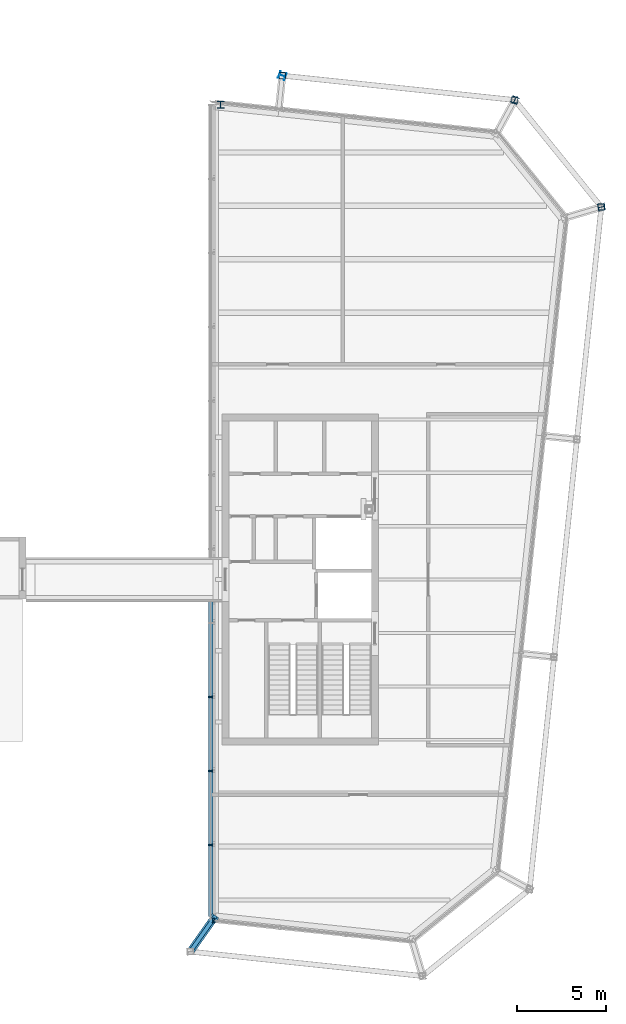
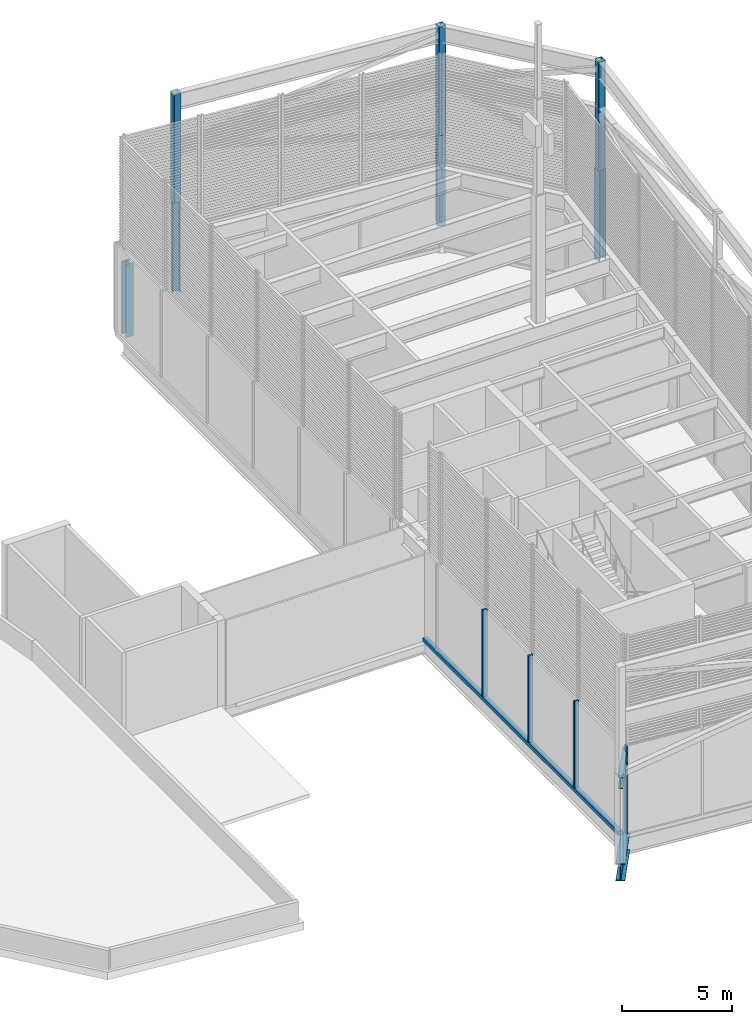
# One storey, part 3 of 11: 7 columns, 5 members, 2 beams, 2 elements without a shape of their own.
"""IFC4 building model written with IfcOpenShell, lengths in metres."""

from ifc_helpers import new_model, si_unit, direction, frame, origin, origin_2d, place, context, subcontext, project, spatial, rectangle, hollow_rectangle, i_section, extrude, material, layer, layer_set, material_profile, profile_set, type_object, element, aggregate, save


model = new_model("IFC4")

# Units and contexts
model_context = context("Model", 3, precision=1e-05, world=origin(), true_north=direction((0.0, 1.0)))
body_context = subcontext(model_context, "Body", "Model", "MODEL_VIEW")
ifc_project = project(units=[si_unit("LENGTHUNIT", "METRE"), si_unit("AREAUNIT", "SQUARE_METRE"), si_unit("VOLUMEUNIT", "CUBIC_METRE"), si_unit("PLANEANGLEUNIT", "RADIAN"), si_unit("MASSUNIT", "GRAM", prefix="KILO")], contexts=[model_context])

# Site, building, storey
site_placement = place(None, origin())
site = spatial("IfcSite", under=ifc_project, at=site_placement, CompositionType="ELEMENT")
building_placement = place(site_placement, origin())
building = spatial("IfcBuilding", under=site, at=building_placement, Name="Millrace Tower", CompositionType="ELEMENT")
storey_placement = place(building_placement, frame((0.0, 0.0, 357.10009765625)))
storey = spatial("IfcBuildingStorey", under=building, at=storey_placement, Name="L82", CompositionType="ELEMENT", Elevation=357.10009765625)

# Columns
ifc_material_1 = material(Name="Steel ASTM A500 Grade C", Category="steel")
ifc_material_profile_1 = material_profile(ifc_material_1, hollow_rectangle(XDim=0.355712890625, YDim=0.355712890625, WallThickness=0.015869140625, InnerFilletRadius=0.008056640625, OuterFilletRadius=0.02392578125, at=origin_2d()))
ifc_profile_set_1 = profile_set([ifc_material_profile_1], Name="Steel ASTM A500 Grade C")
column_type_1 = type_object("IfcColumnType", Name="CROWN FRAME post HSS14x14x5/8", PredefinedType="COLUMN", material=ifc_profile_set_1)
for number, where, z_axis, x_axis, name in (
    (1, (26.82958984375, 20.935791015625, 5.0), (0.0, 0.0, 1.0), (1.0, 0.0, 0.0), "CROWN FRAME post E.6"),
    (2, (21.9599609375, 26.94921875, 5.0), (0.0, 0.0, 1.0), (1.0, 0.0, 0.0), "CROWN FRAME post E.7"),
    (3, (8.9033203125, 28.321533203125, 5.0), (0.0, 0.0, 1.0), (1.0, 0.0, 0.0), "CROWN FRAME post E.8"),
):
    element("IfcColumn", number, at=place(storey_placement, frame(where, z_axis=z_axis, x_axis=x_axis)), inside=storey, type_object=column_type_1, Name=name, PredefinedType="COLUMN", context=body_context, shape_type="SweptSolid", body=[
        extrude(hollow_rectangle(XDim=0.355712890625, YDim=0.355712890625, WallThickness=0.015869140625, InnerFilletRadius=0.008056640625, OuterFilletRadius=0.02392578125, at=origin_2d()), origin(), (0.0, 0.0, 1.0), 6.0),
    ])
ifc_material_2 = material(Name="Steel ASTM A913 Grade 65", Category="steel")
ifc_material_profile_2 = material_profile(ifc_material_2, i_section(OverallWidth=0.396240234375, OverallDepth=0.381103515625, WebThickness=0.018798828125, FlangeThickness=0.0302734375, FilletRadius=0.01513671875, at=origin_2d()))
ifc_profile_set_2 = profile_set([ifc_material_profile_2], Name="Steel ASTM A913 Grade 65")
column_type_2 = type_object("IfcColumnType", Name="Crown corner post W14x159", PredefinedType="COLUMN", material=ifc_profile_set_2)
column_1_placement = place(storey_placement, frame((5.43408203125, 26.6826171875, -0.2001953125), z_axis=(0.0, 0.0, 1.0), x_axis=(1.0, 0.0, 0.0)))
element("IfcColumn", 4, at=column_1_placement, inside=storey, type_object=column_type_2, Name="COL-E-L82-RE-P01", PredefinedType="COLUMN", context=body_context, shape_type="SweptSolid", body=[
    extrude(i_section(OverallWidth=0.396240234375, OverallDepth=0.381103515625, WebThickness=0.018798828125, FlangeThickness=0.0302734375, FilletRadius=0.01513671875, at=origin_2d()), origin(), (0.0, 0.0, 1.0), 4.02294921875),
])
ifc_material_3 = material(Name="Steel ASTM A913 Grade 65", Category="steel")
ifc_material_profile_3 = material_profile(ifc_material_3, i_section(OverallWidth=0.393798828125, OverallDepth=0.3759765625, WebThickness=0.017333984375, FlangeThickness=0.027587890625, FilletRadius=0.01513671875, at=origin_2d()))
ifc_profile_set_3 = profile_set([ifc_material_profile_3], Name="Steel ASTM A913 Grade 65")
column_type_3 = type_object("IfcColumnType", Name="Exoskeleton column W14x145", PredefinedType="COLUMN", material=ifc_profile_set_3)
column_2_placement = place(storey_placement, frame((8.9033203125, 28.321533203125, 0.0), z_axis=(0.0, 0.0, 1.0), x_axis=(-0.355988594395, -0.934490299929, 0.0)))
element("IfcColumn", 5, at=column_2_placement, inside=storey, type_object=column_type_3, Name="COL-E-L82-X11", PredefinedType="COLUMN", context=body_context, shape_type="SweptSolid", body=[
    extrude(i_section(OverallWidth=0.393798828125, OverallDepth=0.3759765625, WebThickness=0.017333984375, FlangeThickness=0.027587890625, FilletRadius=0.01513671875, at=origin_2d()), origin(), (0.0, 0.0, 1.0), 5.0),
])
ifc_material_4 = material(Name="Steel ASTM A913 Grade 65", Category="steel")
ifc_material_profile_4 = material_profile(ifc_material_4, i_section(OverallWidth=0.396240234375, OverallDepth=0.381103515625, WebThickness=0.018798828125, FlangeThickness=0.0302734375, FilletRadius=0.01513671875, at=origin_2d()))
ifc_profile_set_4 = profile_set([ifc_material_profile_4], Name="Steel ASTM A913 Grade 65")
column_type_4 = type_object("IfcColumnType", Name="Exoskeleton column W14x159", PredefinedType="COLUMN", material=ifc_profile_set_4)
for number, where, z_axis, x_axis, name in (
    (6, (26.82958984375, 20.935791015625, 0.0), (0.0, 0.0, 1.0), (-0.18038747256, 0.983595628164, 0.0), "COL-E-L82-X09"),
    (7, (21.9599609375, 26.94921875, 0.0), (0.0, 0.0, 1.0), (-0.92459700658, 0.380946683176, 0.0), "COL-E-L82-X10"),
):
    element("IfcColumn", number, at=place(storey_placement, frame(where, z_axis=z_axis, x_axis=x_axis)), inside=storey, type_object=column_type_4, Name=name, PredefinedType="COLUMN", context=body_context, shape_type="SweptSolid", body=[
        extrude(i_section(OverallWidth=0.396240234375, OverallDepth=0.381103515625, WebThickness=0.018798828125, FlangeThickness=0.0302734375, FilletRadius=0.01513671875, at=origin_2d()), origin(), (0.0, 0.0, 1.0), 5.0),
    ])

# Curtain wall, members
ifc_material_5 = material(Name="Aluminium and glass", Category="aluminium")
ifc_layer = layer(ifc_material_5, 0.25)
ifc_layer_set = layer_set([ifc_layer], Name="Aluminium and glass")
curtain_wall_type = type_object("IfcCurtainWallType", Name="CW-7 crown louvred enclosure", PredefinedType="NOTDEFINED", material=ifc_layer_set)
placement = place(storey_placement, origin())
curtain_wall_1 = element("IfcCurtainWall", 8, at=placement, inside=storey, type_object=curtain_wall_type, Name="Curtain wall CE-F01 L82", PredefinedType="NOTDEFINED")
ifc_material_6 = material(Name="Aluminium", Category="aluminium")
ifc_material_profile_5 = material_profile(ifc_material_6, rectangle(XDim=0.10009765625, YDim=0.25, at=origin_2d()))
ifc_profile_set_5 = profile_set([ifc_material_profile_5], Name="Aluminium")
member_type_1 = type_object("IfcMemberType", Name="CW-7 crown louvred enclosure mullion", PredefinedType="MULLION", material=ifc_profile_set_5)
member_1_placement = place(storey_placement, frame((4.875, -6.602294921875, 0.199951171875), z_axis=(0.0, 0.0, 1.0), x_axis=(0.0, -1.0, 0.0)))
member_1 = element("IfcMember", 9, at=member_1_placement, type_object=member_type_1, Name="CW7 mullion CE-F01.9", PredefinedType="MULLION", context=body_context, shape_type="SweptSolid", body=[
    extrude(rectangle(XDim=0.10009765625, YDim=0.25, at=origin_2d()), origin(), (0.0, 0.0, 1.0), 4.800048828125),
])
member_2_placement = place(storey_placement, frame((4.875, -10.761474609375, 0.199951171875), z_axis=(0.0, 0.0, 1.0), x_axis=(0.0, -1.0, 0.0)))
member_2 = element("IfcMember", 10, at=member_2_placement, type_object=member_type_1, Name="CW7 mullion CE-F01.10", PredefinedType="MULLION", context=body_context, shape_type="SweptSolid", body=[
    extrude(rectangle(XDim=0.10009765625, YDim=0.25, at=origin_2d()), origin(), (0.0, 0.0, 1.0), 4.800048828125),
])
member_3_placement = place(storey_placement, frame((4.875, -14.920654296875, 0.199951171875), z_axis=(0.0, 0.0, 1.0), x_axis=(0.0, -1.0, 0.0)))
member_3 = element("IfcMember", 11, at=member_3_placement, type_object=member_type_1, Name="CW7 mullion CE-F01.11", PredefinedType="MULLION", context=body_context, shape_type="SweptSolid", body=[
    extrude(rectangle(XDim=0.10009765625, YDim=0.25, at=origin_2d()), origin(), (0.0, 0.0, 1.0), 4.800048828125),
])

# Curtain wall, member
curtain_wall_2 = element("IfcCurtainWall", 12, at=placement, inside=storey, type_object=curtain_wall_type, Name="Curtain wall CE-F02 L82", PredefinedType="NOTDEFINED")
member_4_placement = place(storey_placement, frame((5.03662109375, -19.159423828125, 0.199951171875), z_axis=(0.0, 0.0, 1.0), x_axis=(0.994521900296, -0.104528416385, 0.0)))
member_4 = element("IfcMember", 13, at=member_4_placement, type_object=member_type_1, Name="CW7 mullion CE-F02.1", PredefinedType="MULLION", context=body_context, shape_type="SweptSolid", body=[
    extrude(rectangle(XDim=0.10009765625, YDim=0.25, at=origin_2d()), origin(), (0.0, 0.0, 1.0), 4.800048828125),
])
aggregate(curtain_wall_2, [member_4])

# Member
ifc_material_7 = material(Name="Aluminium", Category="aluminium")
ifc_material_profile_6 = material_profile(ifc_material_7, rectangle(XDim=0.25, YDim=0.199951171875, at=origin_2d()))
ifc_profile_set_6 = profile_set([ifc_material_profile_6], Name="Aluminium")
member_type_2 = type_object("IfcMemberType", Name="CW-7 crown louvred enclosure transom", PredefinedType="USERDEFINED", material=ifc_profile_set_6)
member_5_placement = place(storey_placement, frame((4.875, -18.929931640625, 0.099853515625), z_axis=(0.0, 1.0, 0.0), x_axis=(-1.0, 0.0, 0.0)))
member_5 = element("IfcMember", 14, at=member_5_placement, type_object=member_type_2, Name="CW7 transom CE-F01.1", ObjectType="TRANSOM", PredefinedType="USERDEFINED", context=body_context, shape_type="SweptSolid", body=[
    extrude(rectangle(XDim=0.25, YDim=0.199951171875, at=origin_2d()), origin(), (0.0, 0.0, 1.0), 17.68994140625),
])

aggregate(curtain_wall_1, [member_1, member_2, member_3, member_5])

# Beams
ifc_material_8 = material(Name="Steel ASTM A992 Grade 50", Category="steel")
ifc_material_profile_7 = material_profile(ifc_material_8, i_section(OverallWidth=0.23046875, OverallDepth=0.6171875, WebThickness=0.01318359375, FlangeThickness=0.022216796875, FilletRadius=0.012939453125, at=origin_2d()))
ifc_profile_set_7 = profile_set([ifc_material_profile_7], Name="Steel ASTM A992 Grade 50")
beam_type_1 = type_object("IfcBeamType", Name="Link beam W24x94", PredefinedType="BEAM", material=ifc_profile_set_7)
beam_1_placement = place(storey_placement, frame((5.153564453125, -18.891357421875, 4.44140625), z_axis=(-0.577048175048, -0.816710109937, 0.0), x_axis=(0.816710109937, -0.577048175048, 0.0)))
element("IfcBeam", 15, at=beam_1_placement, inside=storey, type_object=beam_type_1, Name="LNK-E-L82-RE-08", PredefinedType="BEAM", context=body_context, shape_type="SweptSolid", body=[
    extrude(i_section(OverallWidth=0.23046875, OverallDepth=0.6171875, WebThickness=0.01318359375, FlangeThickness=0.022216796875, FilletRadius=0.012939453125, at=origin_2d()), origin(), (0.0, 0.0, 1.0), 2.46826171875),
])
ifc_material_9 = material(Name="Steel ASTM A992 Grade 50", Category="steel")
ifc_material_profile_8 = material_profile(ifc_material_9, i_section(OverallWidth=0.421630859375, OverallDepth=0.95751953125, WebThickness=0.02587890625, FlangeThickness=0.046875, FilletRadius=0.024169921875, at=origin_2d()))
ifc_profile_set_8 = profile_set([ifc_material_profile_8], Name="Steel ASTM A992 Grade 50")
beam_type_2 = type_object("IfcBeamType", Name="Link beam W36x330", PredefinedType="BEAM", material=ifc_profile_set_8)
beam_2_placement = place(storey_placement, frame((5.153564453125, -18.891357421875, -0.47900390625), z_axis=(-0.577048175048, -0.816710109937, 0.0), x_axis=(0.816710109937, -0.577048175048, 0.0)))
element("IfcBeam", 16, at=beam_2_placement, inside=storey, type_object=beam_type_2, Name="LNK-CROWN-L82-SE-08", PredefinedType="BEAM", context=body_context, shape_type="SweptSolid", body=[
    extrude(i_section(OverallWidth=0.421630859375, OverallDepth=0.95751953125, WebThickness=0.02587890625, FlangeThickness=0.046875, FilletRadius=0.024169921875, at=origin_2d()), origin(), (0.0, 0.0, 1.0), 2.46826171875),
])

save(model, "model.ifc")
